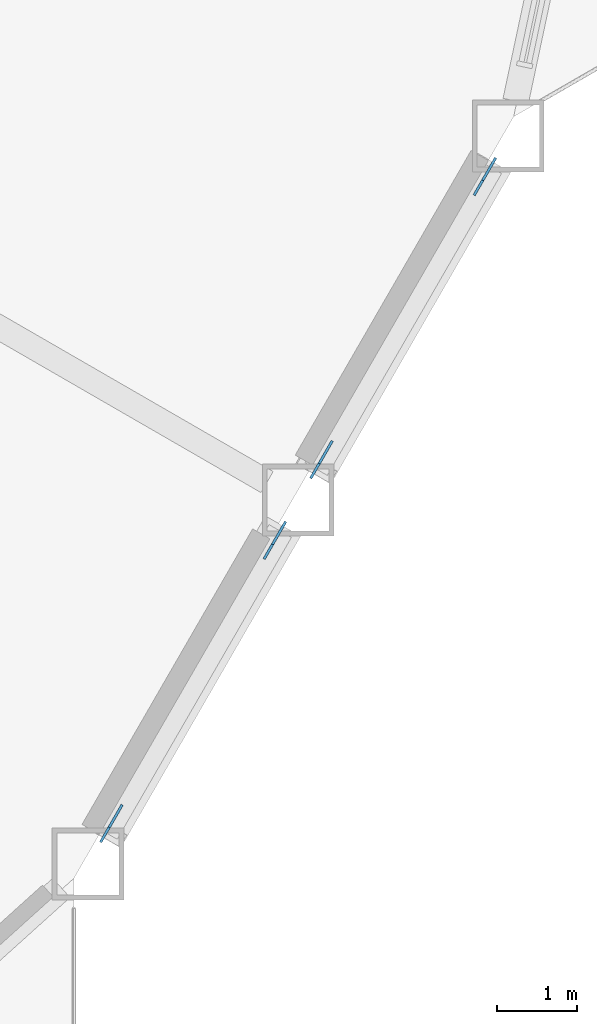
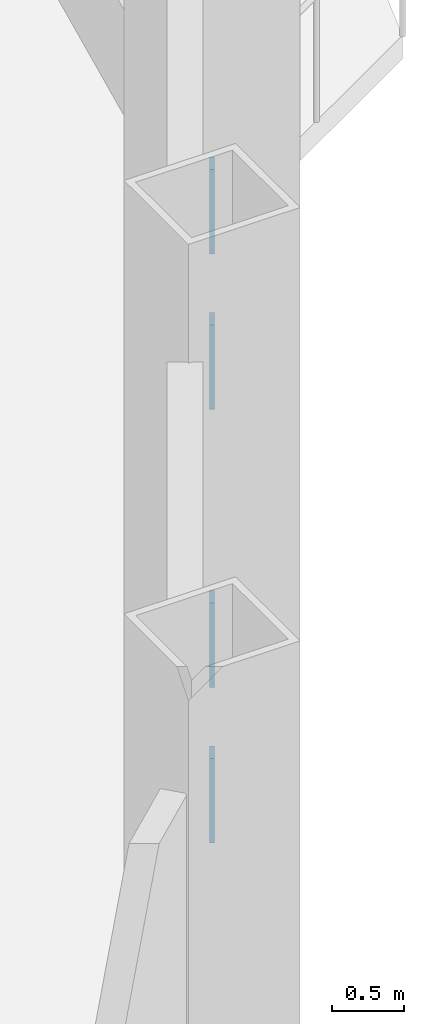
# One storey, part 15 of 21: 4 discrete accessories.
"""IFC4 building model written with IfcOpenShell, lengths in metres."""

from ifc_helpers import new_model, si_unit, direction, frame, origin, origin_2d, place, context, subcontext, project, spatial, rectangle, extrude, material, material_profile, profile_set, type_object, element, save


model = new_model("IFC4")

# Units and contexts
model_context = context("Model", 3, precision=1e-05, world=origin(), true_north=direction((0.0, 1.0)))
body_context = subcontext(model_context, "Body", "Model", "MODEL_VIEW")
ifc_project = project(units=[si_unit("LENGTHUNIT", "METRE"), si_unit("AREAUNIT", "SQUARE_METRE"), si_unit("VOLUMEUNIT", "CUBIC_METRE"), si_unit("PLANEANGLEUNIT", "RADIAN"), si_unit("MASSUNIT", "GRAM", prefix="KILO")], contexts=[model_context])

# Site, building, storey
site_placement = place(None, origin())
site = spatial("IfcSite", under=ifc_project, at=site_placement, CompositionType="ELEMENT")
building_placement = place(site_placement, origin())
building = spatial("IfcBuilding", under=site, at=building_placement, Name="Cormorant Prow Tower", CompositionType="ELEMENT")
storey_placement = place(building_placement, frame((0.0, 0.0, 141.60009765625)))
storey = spatial("IfcBuildingStorey", under=building, at=storey_placement, Name="L30", CompositionType="ELEMENT", Elevation=141.60009765625)

# Discrete accessories
ifc_material = material(Name="Structural steel ASTM A500 Gr C", Category="steel")
ifc_material_profile = material_profile(ifc_material, rectangle(XDim=0.031982421875, YDim=0.60791015625, at=origin_2d()), Name="Gusset plate 32x608")
ifc_profile_set = profile_set([ifc_material_profile], Name="Structural steel ASTM A500 Gr C")
discrete_accessory_type = type_object("IfcDiscreteAccessoryType", Name="Gusset plate 32x608", PredefinedType="BRACKET", material=ifc_profile_set)
discrete_accessory_placement = place(storey_placement, frame((27.76025390625, -16.8916015625, 0.88232421875), z_axis=(0.468167615655, 0.810048586848, -0.353044431477), x_axis=(-0.865800459427, 0.500389412813, 0.0)))
element("IfcDiscreteAccessory", 1, at=discrete_accessory_placement, inside=storey, type_object=discrete_accessory_type, Name="Gusset plate GP1 L30.ESE00.g0", PredefinedType="BRACKET", context=body_context, shape_type="SweptSolid", body=[
    extrude(rectangle(XDim=0.031982421875, YDim=0.60791015625, at=origin_2d()), origin(), (0.0, 0.0, 1.0), 0.349853515625),
])
for number, where, z_axis, x_axis, name in (
    (2, (25.8740234375, -20.158935546875, 2.306396484375), (-0.467903125124, -0.810288273314, 0.352844979601), (0.865987003449, -0.500066505434, 0.0), "Gusset plate GP1 L30.ESE00.g1"),
    (3, (30.39501953125, -12.328125, 0.88232421875), (0.467903125124, 0.810288273314, -0.352844979601), (-0.865987003449, 0.500066505434, 0.0), "Gusset plate GP1 L30.ESE01.g0"),
    (4, (28.5087890625, -15.59521484375, 2.306396484375), (-0.467903125124, -0.810288273314, 0.352844979601), (0.865987003449, -0.500066505434, 0.0), "Gusset plate GP1 L30.ESE01.g1"),
):
    element("IfcDiscreteAccessory", number, at=place(storey_placement, frame(where, z_axis=z_axis, x_axis=x_axis)), inside=storey, type_object=discrete_accessory_type, Name=name, PredefinedType="BRACKET", context=body_context, shape_type="SweptSolid", body=[
        extrude(rectangle(XDim=0.031982421875, YDim=0.60791015625, at=origin_2d()), origin(), (0.0, 0.0, 1.0), 0.35009765625),
    ])

save(model, "model.ifc")
